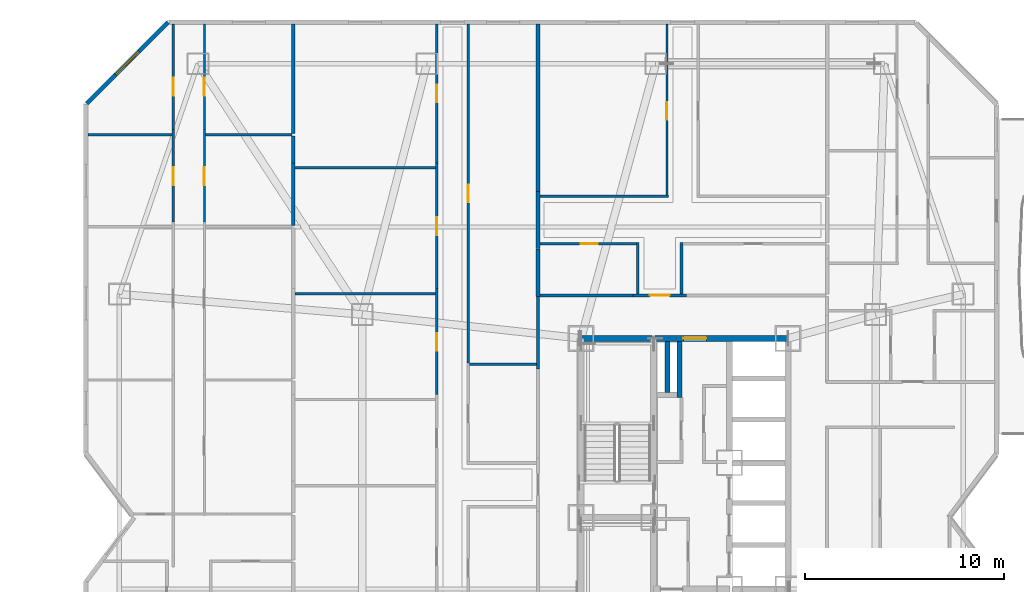
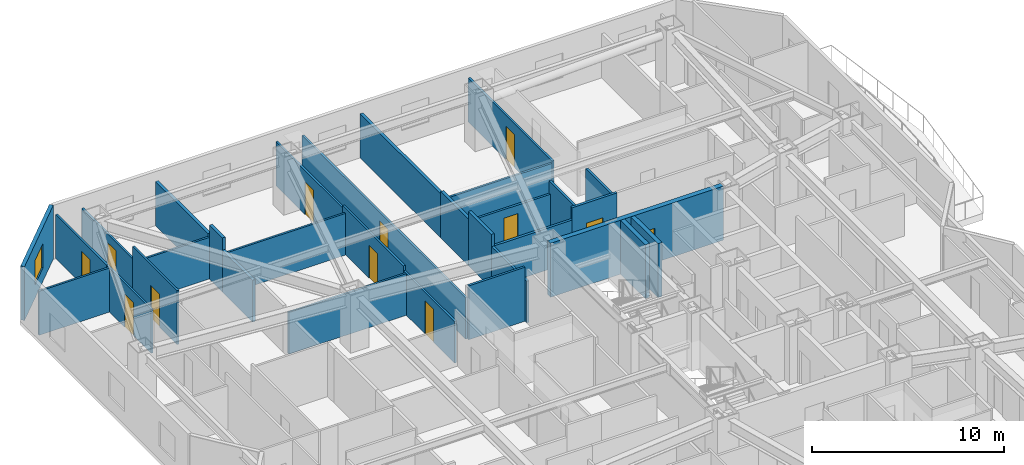
# One storey, part 12 of 17: 31 walls, 12 doors, 1 window, 13 openings.
"""IFC4 building model written with IfcOpenShell, lengths in metres."""

from ifc_helpers import new_model, si_unit, direction, frame, frame_2d, origin, place, context, subcontext, project, spatial, rectangle, extrude, material, layer, layer_set, type_object, element, fill, save


model = new_model("IFC4")

# Units and contexts
model_context = context("Model", 3, precision=1e-05, world=origin(), true_north=direction((0.0, 1.0)))
body_context = subcontext(model_context, "Body", "Model", "MODEL_VIEW")
ifc_project = project(units=[si_unit("LENGTHUNIT", "METRE"), si_unit("AREAUNIT", "SQUARE_METRE"), si_unit("VOLUMEUNIT", "CUBIC_METRE"), si_unit("PLANEANGLEUNIT", "RADIAN"), si_unit("MASSUNIT", "GRAM", prefix="KILO")], contexts=[model_context])

# Site, building, storey
site_placement = place(None, origin())
site = spatial("IfcSite", under=ifc_project, at=site_placement, CompositionType="ELEMENT")
building_placement = place(site_placement, origin())
building = spatial("IfcBuilding", under=site, at=building_placement, Name="Khamvora Tower", CompositionType="ELEMENT")
storey_placement = place(building_placement, frame((0.0, 0.0, 44.25)))
storey = spatial("IfcBuildingStorey", under=building, at=storey_placement, Name="L10", CompositionType="ELEMENT", Elevation=44.25)

# Wall, opening, door
ifc_material_1 = material(Name="Concrete C50/60", Category="concrete")
ifc_layer_1 = layer(ifc_material_1, 0.300048828125)
ifc_layer_set_1 = layer_set([ifc_layer_1], Name="Concrete C50/60")
wall_type_1 = type_object("IfcWallType", Name="WAL-CORE-300", PredefinedType="SHEAR", material=ifc_layer_set_1)
wall_1_placement = place(storey_placement, frame((29.0, 37.0, 0.0), z_axis=(0.0, 0.0, 1.0), x_axis=(1.0, 0.0, 0.0)))
wall_1 = element("IfcWall", 1, at=wall_1_placement, inside=storey, type_object=wall_type_1, Name="L10 central core north wall", PredefinedType="SHEAR", context=body_context, shape_type="SweptSolid", body=[
    extrude(rectangle(XDim=10.39990234375, YDim=0.300048828125, at=frame_2d((5.199951171875, 0.0))), origin(), (0.0, 0.0, 1.0), 3.429931640625),
])
opening_1_placement = place(wall_1_placement, frame((5.139892578125, 0.0, 0.0)))
opening_1 = element("IfcOpeningElement", 2, at=opening_1_placement, cuts=wall_1, Name="Opening D-SC1", PredefinedType="OPENING", context=body_context, shape_type="SweptSolid", body=[
    extrude(rectangle(XDim=1.14990234375, YDim=2.199951171875, at=frame_2d((0.574951171875, 1.10009765625))), frame((0.0, 0.159912109375, 0.0), z_axis=(0.0, -1.0, 0.0), x_axis=(1.0, 0.0, 0.0)), (0.0, 0.0, 1.0), 0.320068359375),
])
ifc_material_2 = material(Name="Powder-Coated Steel and Hardwood Leaf", Category="steel")
door_type_1 = type_object("IfcDoorType", Name="DOR-SCHL-1150", OperationType="NOTDEFINED", PredefinedType="DOOR", material=ifc_material_2)
door_1_placement = place(opening_1_placement, origin())
door_1 = element("IfcDoor", 3, at=door_1_placement, inside=storey, type_object=door_type_1, Name="L10 north core lobby to corridor fire door", OperationType="SINGLE_SWING_LEFT", OverallHeight=2.199951171875, OverallWidth=1.14990234375, PredefinedType="DOOR", context=body_context, shape_type="SweptSolid", body=[
    extrude(rectangle(XDim=1.14990234375, YDim=2.199951171875, at=frame_2d((0.574951171875, 1.10009765625))), frame((0.0, 0.02490234375, 0.0), z_axis=(0.0, -1.0, 0.0), x_axis=(1.0, 0.0, 0.0)), (0.0, 0.0, 1.0), 0.050048828125),
])
fill(opening_1, door_1)

# Wall
ifc_material_3 = material(Name="Fire-Rated Drywall and Steel Stud", Category="steel")
ifc_layer_2 = layer(ifc_material_3, 0.14990234375)
ifc_layer_set_2 = layer_set([ifc_layer_2], Name="Fire-Rated Drywall and Steel Stud")
wall_type_2 = type_object("IfcWallType", Name="WAL-CORR-150", PredefinedType="STANDARD", material=ifc_layer_set_2)
wall_2_placement = place(storey_placement, frame((26.8349609375, 35.45703125, 0.0), z_axis=(0.0, 0.0, 1.0), x_axis=(0.0, 1.0, 0.0)))
element("IfcWall", 4, at=wall_2_placement, inside=storey, type_object=wall_type_2, Name="L10 interior partition wall 019", PredefinedType="STANDARD", context=body_context, shape_type="SweptSolid", body=[
    extrude(rectangle(XDim=3.64306640625, YDim=0.14990234375, at=frame_2d((1.821533203125, 0.0))), origin(), (0.0, 0.0, 1.0), 2.64697265625),
])

# Wall, opening, door
wall_3_placement = place(storey_placement, frame((31.60107421875, 39.1650390625, 0.0), z_axis=(0.0, 0.0, 1.0), x_axis=(1.0, 0.0, 0.0)))
wall_3 = element("IfcWall", 5, at=wall_3_placement, inside=storey, type_object=wall_type_2, Name="L10 interior partition wall 029", PredefinedType="STANDARD", context=body_context, shape_type="SweptSolid", body=[
    extrude(rectangle(XDim=2.697998046875, YDim=0.14990234375, at=frame_2d((1.34912109375, 0.0))), origin(), (0.0, 0.0, 1.0), 3.429931640625),
])
opening_2_placement = place(wall_3_placement, frame((0.84912109375, 0.0, 0.0)))
opening_2 = element("IfcOpeningElement", 6, at=opening_2_placement, cuts=wall_3, Name="Opening D-U1", PredefinedType="OPENING", context=body_context, shape_type="SweptSolid", body=[
    extrude(rectangle(XDim=1.0, YDim=2.14990234375, at=frame_2d((0.5, 1.074951171875))), frame((0.0, 0.0849609375, 0.0), z_axis=(0.0, -1.0, 0.0), x_axis=(1.0, 0.0, 0.0)), (0.0, 0.0, 1.0), 0.169921875),
])
door_type_2 = type_object("IfcDoorType", Name="DOR-UNIT-1000", OperationType="NOTDEFINED", PredefinedType="DOOR", material=ifc_material_2)
door_2_placement = place(opening_2_placement, origin())
door_2 = element("IfcDoor", 7, at=door_2_placement, inside=storey, type_object=door_type_2, Name="L10 interior door COR-10NAH", OperationType="SINGLE_SWING_LEFT", OverallHeight=2.14990234375, OverallWidth=1.0, PredefinedType="DOOR", context=body_context, shape_type="SweptSolid", body=[
    extrude(rectangle(XDim=1.0, YDim=2.14990234375, at=frame_2d((0.5, 1.074951171875))), frame((0.0, 0.02490234375, 0.0), z_axis=(0.0, -1.0, 0.0), x_axis=(1.0, 0.0, 0.0)), (0.0, 0.0, 1.0), 0.050048828125),
])
fill(opening_2, door_2)

# Walls
wall_4_placement = place(storey_placement, frame((26.89990234375, 39.1650390625, 0.0), z_axis=(0.0, 0.0, 1.0), x_axis=(1.0, 0.0, 0.0)))
element("IfcWall", 8, at=wall_4_placement, inside=storey, type_object=wall_type_2, Name="L10 interior partition wall 030", PredefinedType="STANDARD", context=body_context, shape_type="SweptSolid", body=[
    extrude(rectangle(XDim=4.701171875, YDim=0.14990234375, at=frame_2d((2.3505859375, 0.0))), origin(), (0.0, 0.0, 1.0), 2.64697265625),
])
ifc_material_4 = material(Name="Acoustic Double-Stud Fire Wall", Category="gypsum")
ifc_layer_3 = layer(ifc_material_4, 0.179931640625)
ifc_layer_set_3 = layer_set([ifc_layer_3], Name="Acoustic Double-Stud Fire Wall")
wall_type_3 = type_object("IfcWallType", Name="WAL-CORR-180", PredefinedType="STANDARD", material=ifc_layer_set_3)
wall_5_placement = place(storey_placement, frame((14.533935546875, 45.822021484375, 0.0), z_axis=(0.0, 0.0, 1.0), x_axis=(0.0, -1.0, 0.0)))
element("IfcWall", 9, at=wall_5_placement, inside=storey, type_object=wall_type_3, Name="L10 interior partition wall 104", PredefinedType="STANDARD", context=body_context, shape_type="SweptSolid", body=[
    extrude(rectangle(XDim=3.153076171875, YDim=0.179931640625, at=frame_2d((1.57666015625, 0.0))), origin(), (0.0, 0.0, 1.0), 2.64697265625),
])
wall_6_placement = place(storey_placement, frame((14.533935546875, 47.172119140625, 0.0), z_axis=(0.0, 0.0, 1.0), x_axis=(0.0, -1.0, 0.0)))
element("IfcWall", 10, at=wall_6_placement, inside=storey, type_object=wall_type_3, Name="L10 interior partition wall 105", PredefinedType="STANDARD", context=body_context, shape_type="SweptSolid", body=[
    extrude(rectangle(XDim=1.35009765625, YDim=0.179931640625, at=frame_2d((0.675048828125, 0.0))), origin(), (0.0, 0.0, 1.0), 3.429931640625),
])
wall_7_placement = place(storey_placement, frame((14.533935546875, 52.7880859375, 0.0), z_axis=(0.0, 0.0, 1.0), x_axis=(0.0, -1.0, 0.0)))
element("IfcWall", 11, at=wall_7_placement, inside=storey, type_object=wall_type_3, Name="L10 interior partition wall 106", PredefinedType="STANDARD", context=body_context, shape_type="SweptSolid", body=[
    extrude(rectangle(XDim=5.486083984375, YDim=0.179931640625, at=frame_2d((2.7431640625, 0.0))), origin(), (0.0, 0.0, 1.0), 2.802978515625),
])
wall_8_placement = place(storey_placement, frame((26.8349609375, 44.383056640625, 0.0), z_axis=(0.0, 0.0, 1.0), x_axis=(0.0, -1.0, 0.0)))
element("IfcWall", 12, at=wall_8_placement, inside=storey, type_object=wall_type_3, Name="L10 interior partition wall 109", PredefinedType="STANDARD", context=body_context, shape_type="SweptSolid", body=[
    extrude(rectangle(XDim=2.878173828125, YDim=0.179931640625, at=frame_2d((1.43896484375, 0.0))), origin(), (0.0, 0.0, 1.0), 2.95703125),
])
wall_9_placement = place(storey_placement, frame((26.8349609375, 41.5048828125, 0.0), z_axis=(0.0, 0.0, 1.0), x_axis=(0.0, -1.0, 0.0)))
element("IfcWall", 13, at=wall_9_placement, inside=storey, type_object=wall_type_3, Name="L10 interior partition wall 110", PredefinedType="STANDARD", context=body_context, shape_type="SweptSolid", body=[
    extrude(rectangle(XDim=2.40478515625, YDim=0.179931640625, at=frame_2d((1.202392578125, 0.0))), origin(), (0.0, 0.0, 1.0), 3.429931640625),
])
wall_10_placement = place(storey_placement, frame((26.8349609375, 52.7880859375, 0.0), z_axis=(0.0, 0.0, 1.0), x_axis=(0.0, -1.0, 0.0)))
element("IfcWall", 14, at=wall_10_placement, inside=storey, type_object=wall_type_3, Name="L10 interior partition wall 111", PredefinedType="STANDARD", context=body_context, shape_type="SweptSolid", body=[
    extrude(rectangle(XDim=8.405029296875, YDim=0.179931640625, at=frame_2d((4.20263671875, 0.0))), origin(), (0.0, 0.0, 1.0), 2.802978515625),
])

# Wall, opening, window
ifc_material_5 = material(Name="Precast concrete C40/50", Category="concrete")
ifc_layer_4 = layer(ifc_material_5, 0.219970703125)
ifc_layer_set_4 = layer_set([ifc_layer_4], Name="Precast concrete C40/50")
wall_type_4 = type_object("IfcWallType", Name="WAL-EXT-220", PredefinedType="STANDARD", material=ifc_layer_set_4)
wall_11_placement = place(storey_placement, frame((4.157958984375, 48.802001953125, 0.0), z_axis=(0.0, 0.0, 1.0), x_axis=(0.70712789547, 0.707085666273, 0.0)))
wall_11 = element("IfcWall", 15, at=wall_11_placement, inside=storey, type_object=wall_type_4, Name="L10 exterior facade wall 06.1", PredefinedType="STANDARD", context=body_context, shape_type="SweptSolid", body=[
    extrude(rectangle(XDim=5.78125, YDim=0.219970703125, at=frame_2d((2.890625, 0.0))), origin(), (0.0, 0.0, 1.0), 3.429931640625),
])
opening_3_placement = place(wall_11_placement, frame((2.06591796875, 0.0, 0.85009765625)))
opening_3 = element("IfcOpeningElement", 16, at=opening_3_placement, cuts=wall_11, Name="Opening WN-06", PredefinedType="OPENING", context=body_context, shape_type="SweptSolid", body=[
    extrude(rectangle(XDim=1.64990234375, YDim=1.550048828125, at=frame_2d((0.824951171875, 0.77490234375))), frame((0.0, 0.119873046875, 0.0), z_axis=(0.0, -1.0, 0.0), x_axis=(1.0, 0.0, 0.0)), (0.0, 0.0, 1.0), 0.239990234375),
])
ifc_material_6 = material(Name="Low-E Laminated Double Glazing", Category="glass")
window_type = type_object("IfcWindowType", Name="WIN-VIS-1650x1550", PartitioningType="SINGLE_PANEL", PredefinedType="WINDOW", material=ifc_material_6)
window_placement = place(opening_3_placement, origin())
window = element("IfcWindow", 17, at=window_placement, inside=storey, type_object=window_type, Name="L10 vision window 06.1.01", OverallHeight=1.550048828125, OverallWidth=1.64990234375, PartitioningType="SINGLE_PANEL", PredefinedType="WINDOW", context=body_context, shape_type="SweptSolid", body=[
    extrude(rectangle(XDim=1.64990234375, YDim=1.550048828125, at=frame_2d((0.824951171875, 0.77490234375))), frame((0.0, 0.030029296875, 0.0), z_axis=(0.0, -1.0, 0.0), x_axis=(1.0, 0.0, 0.0)), (0.0, 0.0, 1.0), 0.06005859375),
])
fill(opening_3, window)

# Wall, opening, door
ifc_material_7 = material(Name="Gypsum Plasterboard Partition", Category="gypsum")
ifc_layer_5 = layer(ifc_material_7, 0.1201171875)
ifc_layer_set_5 = layer_set([ifc_layer_5], Name="Gypsum Plasterboard Partition")
wall_type_5 = type_object("IfcWallType", Name="WAL-PART-120", PredefinedType="PARTITIONING", material=ifc_layer_set_5)
wall_12_placement = place(storey_placement, frame((8.50390625, 42.85302734375, 0.0), z_axis=(0.0, 0.0, 1.0), x_axis=(0.0, 1.0, 0.0)))
wall_12 = element("IfcWall", 18, at=wall_12_placement, inside=storey, type_object=wall_type_5, Name="L10 interior partition wall 084", PredefinedType="PARTITIONING", context=body_context, shape_type="SweptSolid", body=[
    extrude(rectangle(XDim=4.633056640625, YDim=0.1201171875, at=frame_2d((2.31640625, 0.0))), origin(), (0.0, 0.0, 1.0), 2.802978515625),
])
opening_4_placement = place(wall_12_placement, frame((1.845947265625, 0.0, 0.0)))
opening_4 = element("IfcOpeningElement", 19, at=opening_4_placement, cuts=wall_12, Name="Opening D-RM1", PredefinedType="OPENING", context=body_context, shape_type="SweptSolid", body=[
    extrude(rectangle(XDim=0.89990234375, YDim=2.10009765625, at=frame_2d((0.449951171875, 1.050048828125))), frame((0.0, 0.070068359375, 0.0), z_axis=(0.0, -1.0, 0.0), x_axis=(1.0, 0.0, 0.0)), (0.0, 0.0, 1.0), 0.14013671875),
])
door_type_3 = type_object("IfcDoorType", Name="DOR-ROOM-900", OperationType="NOTDEFINED", PredefinedType="DOOR", material=ifc_material_2)
door_3_placement = place(opening_4_placement, origin())
door_3 = element("IfcDoor", 20, at=door_3_placement, inside=storey, type_object=door_type_3, Name="L10 interior door 10WC1H-10WC1R3", OperationType="SINGLE_SWING_RIGHT", OverallHeight=2.10009765625, OverallWidth=0.89990234375, PredefinedType="DOOR", context=body_context, shape_type="SweptSolid", body=[
    extrude(rectangle(XDim=0.89990234375, YDim=2.10009765625, at=frame_2d((0.449951171875, 1.050048828125))), frame((0.0, 0.02490234375, 0.0), z_axis=(0.0, -1.0, 0.0), x_axis=(1.0, 0.0, 0.0)), (0.0, 0.0, 1.0), 0.050048828125),
])
fill(opening_4, door_3)

wall_13_placement = place(storey_placement, frame((8.50390625, 47.486083984375, 0.0), z_axis=(0.0, 0.0, 1.0), x_axis=(0.0, 1.0, 0.0)))
wall_13 = element("IfcWall", 21, at=wall_13_placement, inside=storey, type_object=wall_type_5, Name="L10 interior partition wall 085", PredefinedType="PARTITIONING", context=body_context, shape_type="SweptSolid", body=[
    extrude(rectangle(XDim=5.302001953125, YDim=0.1201171875, at=frame_2d((2.65087890625, 0.0))), origin(), (0.0, 0.0, 1.0), 2.802978515625),
])
opening_5_placement = place(wall_13_placement, frame((1.708984375, 0.0, 0.0)))
opening_5 = element("IfcOpeningElement", 22, at=opening_5_placement, cuts=wall_13, Name="Opening D-RM1", PredefinedType="OPENING", context=body_context, shape_type="SweptSolid", body=[
    extrude(rectangle(XDim=0.89990234375, YDim=2.10009765625, at=frame_2d((0.449951171875, 1.050048828125))), frame((0.0, 0.070068359375, 0.0), z_axis=(0.0, -1.0, 0.0), x_axis=(1.0, 0.0, 0.0)), (0.0, 0.0, 1.0), 0.14013671875),
])
door_4_placement = place(opening_5_placement, origin())
door_4 = element("IfcDoor", 23, at=door_4_placement, inside=storey, type_object=door_type_3, Name="L10 interior door 10WC1H-10WC1R4", OperationType="SINGLE_SWING_LEFT", OverallHeight=2.10009765625, OverallWidth=0.89990234375, PredefinedType="DOOR", context=body_context, shape_type="SweptSolid", body=[
    extrude(rectangle(XDim=0.89990234375, YDim=2.10009765625, at=frame_2d((0.449951171875, 1.050048828125))), frame((0.0, 0.02490234375, 0.0), z_axis=(0.0, -1.0, 0.0), x_axis=(1.0, 0.0, 0.0)), (0.0, 0.0, 1.0), 0.050048828125),
])
fill(opening_5, door_4)

wall_14_placement = place(storey_placement, frame((10.073974609375, 47.486083984375, 0.0), z_axis=(0.0, 0.0, 1.0), x_axis=(0.0, -1.0, 0.0)))
wall_14 = element("IfcWall", 24, at=wall_14_placement, inside=storey, type_object=wall_type_5, Name="L10 interior partition wall 089", PredefinedType="PARTITIONING", context=body_context, shape_type="SweptSolid", body=[
    extrude(rectangle(XDim=4.633056640625, YDim=0.1201171875, at=frame_2d((2.31640625, 0.0))), origin(), (0.0, 0.0, 1.0), 3.429931640625),
])
opening_6_placement = place(wall_14_placement, frame((1.886962890625, 0.0, 0.0)))
opening_6 = element("IfcOpeningElement", 25, at=opening_6_placement, cuts=wall_14, Name="Opening D-RM1", PredefinedType="OPENING", context=body_context, shape_type="SweptSolid", body=[
    extrude(rectangle(XDim=0.89990234375, YDim=2.10009765625, at=frame_2d((0.449951171875, 1.050048828125))), frame((0.0, 0.070068359375, 0.0), z_axis=(0.0, -1.0, 0.0), x_axis=(1.0, 0.0, 0.0)), (0.0, 0.0, 1.0), 0.14013671875),
])
door_5_placement = place(opening_6_placement, origin())
door_5 = element("IfcDoor", 26, at=door_5_placement, inside=storey, type_object=door_type_3, Name="L10 interior door 10WC1H-10WC1R7", OperationType="SINGLE_SWING_LEFT", OverallHeight=2.10009765625, OverallWidth=0.89990234375, PredefinedType="DOOR", context=body_context, shape_type="SweptSolid", body=[
    extrude(rectangle(XDim=0.89990234375, YDim=2.10009765625, at=frame_2d((0.449951171875, 1.050048828125))), frame((0.0, 0.02490234375, 0.0), z_axis=(0.0, -1.0, 0.0), x_axis=(1.0, 0.0, 0.0)), (0.0, 0.0, 1.0), 0.050048828125),
])
fill(opening_6, door_5)

wall_15_placement = place(storey_placement, frame((10.073974609375, 52.7880859375, 0.0), z_axis=(0.0, 0.0, 1.0), x_axis=(0.0, -1.0, 0.0)))
wall_15 = element("IfcWall", 27, at=wall_15_placement, inside=storey, type_object=wall_type_5, Name="L10 interior partition wall 090", PredefinedType="PARTITIONING", context=body_context, shape_type="SweptSolid", body=[
    extrude(rectangle(XDim=5.302001953125, YDim=0.1201171875, at=frame_2d((2.65087890625, 0.0))), origin(), (0.0, 0.0, 1.0), 2.64697265625),
])
opening_7_placement = place(wall_15_placement, frame((2.693115234375, 0.0, 0.0)))
opening_7 = element("IfcOpeningElement", 28, at=opening_7_placement, cuts=wall_15, Name="Opening D-RM1", PredefinedType="OPENING", context=body_context, shape_type="SweptSolid", body=[
    extrude(rectangle(XDim=0.89990234375, YDim=2.10009765625, at=frame_2d((0.449951171875, 1.050048828125))), frame((0.0, 0.070068359375, 0.0), z_axis=(0.0, -1.0, 0.0), x_axis=(1.0, 0.0, 0.0)), (0.0, 0.0, 1.0), 0.14013671875),
])
door_6_placement = place(opening_7_placement, origin())
door_6 = element("IfcDoor", 29, at=door_6_placement, inside=storey, type_object=door_type_3, Name="L10 interior door 10WC1H-10WC1R8", OperationType="SINGLE_SWING_RIGHT", OverallHeight=2.10009765625, OverallWidth=0.89990234375, PredefinedType="DOOR", context=body_context, shape_type="SweptSolid", body=[
    extrude(rectangle(XDim=0.89990234375, YDim=2.10009765625, at=frame_2d((0.449951171875, 1.050048828125))), frame((0.0, 0.02490234375, 0.0), z_axis=(0.0, -1.0, 0.0), x_axis=(1.0, 0.0, 0.0)), (0.0, 0.0, 1.0), 0.050048828125),
])
fill(opening_7, door_6)

# Walls
wall_16_placement = place(storey_placement, frame((4.2119140625, 47.237060546875, 0.0), z_axis=(0.0, 0.0, 1.0), x_axis=(1.0, 0.0, 0.0)))
element("IfcWall", 30, at=wall_16_placement, inside=storey, type_object=wall_type_5, Name="L10 interior partition wall 095", PredefinedType="PARTITIONING", context=body_context, shape_type="SweptSolid", body=[
    extrude(rectangle(XDim=4.238037109375, YDim=0.1201171875, at=frame_2d((2.119140625, 0.0))), origin(), (0.0, 0.0, 1.0), 2.802978515625),
])
wall_17_placement = place(storey_placement, frame((10.1279296875, 47.237060546875, 0.0), z_axis=(0.0, 0.0, 1.0), x_axis=(1.0, 0.0, 0.0)))
element("IfcWall", 31, at=wall_17_placement, inside=storey, type_object=wall_type_5, Name="L10 interior partition wall 103", PredefinedType="PARTITIONING", context=body_context, shape_type="SweptSolid", body=[
    extrude(rectangle(XDim=4.341064453125, YDim=0.1201171875, at=frame_2d((2.17041015625, 0.0))), origin(), (0.0, 0.0, 1.0), 2.64697265625),
])

# Wall, opening, door
wall_18_placement = place(storey_placement, frame((23.323974609375, 35.77099609375, 0.0), z_axis=(0.0, 0.0, 1.0), x_axis=(0.0, 1.0, 0.0)))
wall_18 = element("IfcWall", 32, at=wall_18_placement, inside=storey, type_object=wall_type_5, Name="L10 interior partition wall 107", PredefinedType="PARTITIONING", context=body_context, shape_type="SweptSolid", body=[
    extrude(rectangle(XDim=17.01708984375, YDim=0.1201171875, at=frame_2d((8.508544921875, 0.0))), origin(), (0.0, 0.0, 1.0), 2.64697265625),
])
opening_8_placement = place(wall_18_placement, frame((8.05908203125, 0.0, 0.0)))
opening_8 = element("IfcOpeningElement", 33, at=opening_8_placement, cuts=wall_18, Name="Opening D-RM1", PredefinedType="OPENING", context=body_context, shape_type="SweptSolid", body=[
    extrude(rectangle(XDim=0.89990234375, YDim=2.10009765625, at=frame_2d((0.449951171875, 1.050048828125))), frame((0.0, 0.070068359375, 0.0), z_axis=(0.0, -1.0, 0.0), x_axis=(1.0, 0.0, 0.0)), (0.0, 0.0, 1.0), 0.14013671875),
])
door_7_placement = place(opening_8_placement, origin())
door_7 = element("IfcDoor", 34, at=door_7_placement, inside=storey, type_object=door_type_3, Name="L10 interior door 10WC2W2-10WC2H", OperationType="SINGLE_SWING_LEFT", OverallHeight=2.10009765625, OverallWidth=0.89990234375, PredefinedType="DOOR", context=body_context, shape_type="SweptSolid", body=[
    extrude(rectangle(XDim=0.89990234375, YDim=2.10009765625, at=frame_2d((0.449951171875, 1.050048828125))), frame((0.0, 0.02490234375, 0.0), z_axis=(0.0, -1.0, 0.0), x_axis=(1.0, 0.0, 0.0)), (0.0, 0.0, 1.0), 0.050048828125),
])
fill(opening_8, door_7)

wall_19_placement = place(storey_placement, frame((21.743896484375, 34.176025390625, 0.0), z_axis=(0.0, 0.0, 1.0), x_axis=(0.0, 1.0, 0.0)))
wall_19 = element("IfcWall", 35, at=wall_19_placement, inside=storey, type_object=wall_type_5, Name="L10 interior partition wall 118", PredefinedType="PARTITIONING", context=body_context, shape_type="SweptSolid", body=[
    extrude(rectangle(XDim=5.324951171875, YDim=0.1201171875, at=frame_2d((2.66259765625, 0.0))), origin(), (0.0, 0.0, 1.0), 2.64697265625),
])
opening_9_placement = place(wall_19_placement, frame((2.19189453125, 0.0, 0.0)))
opening_9 = element("IfcOpeningElement", 36, at=opening_9_placement, cuts=wall_19, Name="Opening D-RM1", PredefinedType="OPENING", context=body_context, shape_type="SweptSolid", body=[
    extrude(rectangle(XDim=0.89990234375, YDim=2.10009765625, at=frame_2d((0.449951171875, 1.050048828125))), frame((0.0, 0.070068359375, 0.0), z_axis=(0.0, -1.0, 0.0), x_axis=(1.0, 0.0, 0.0)), (0.0, 0.0, 1.0), 0.14013671875),
])
door_8_placement = place(opening_9_placement, origin())
door_8 = element("IfcDoor", 37, at=door_8_placement, inside=storey, type_object=door_type_3, Name="L10 interior door 10WC2H-10WC2R3", OperationType="SINGLE_SWING_RIGHT", OverallHeight=2.10009765625, OverallWidth=0.89990234375, PredefinedType="DOOR", context=body_context, shape_type="SweptSolid", body=[
    extrude(rectangle(XDim=0.89990234375, YDim=2.10009765625, at=frame_2d((0.449951171875, 1.050048828125))), frame((0.0, 0.02490234375, 0.0), z_axis=(0.0, -1.0, 0.0), x_axis=(1.0, 0.0, 0.0)), (0.0, 0.0, 1.0), 0.050048828125),
])
fill(opening_9, door_8)

wall_20_placement = place(storey_placement, frame((21.743896484375, 39.5009765625, 0.0), z_axis=(0.0, 0.0, 1.0), x_axis=(0.0, 1.0, 0.0)))
wall_20 = element("IfcWall", 38, at=wall_20_placement, inside=storey, type_object=wall_type_5, Name="L10 interior partition wall 119", PredefinedType="PARTITIONING", context=body_context, shape_type="SweptSolid", body=[
    extrude(rectangle(XDim=6.321044921875, YDim=0.1201171875, at=frame_2d((3.16064453125, 0.0))), origin(), (0.0, 0.0, 1.0), 2.95703125),
])
opening_10_placement = place(wall_20_placement, frame((2.68896484375, 0.0, 0.0)))
opening_10 = element("IfcOpeningElement", 39, at=opening_10_placement, cuts=wall_20, Name="Opening D-RM1", PredefinedType="OPENING", context=body_context, shape_type="SweptSolid", body=[
    extrude(rectangle(XDim=0.89990234375, YDim=2.10009765625, at=frame_2d((0.449951171875, 1.050048828125))), frame((0.0, 0.070068359375, 0.0), z_axis=(0.0, -1.0, 0.0), x_axis=(1.0, 0.0, 0.0)), (0.0, 0.0, 1.0), 0.14013671875),
])
door_9_placement = place(opening_10_placement, origin())
door_9 = element("IfcDoor", 40, at=door_9_placement, inside=storey, type_object=door_type_3, Name="L10 interior door 10WC2H-10WC2R4", OperationType="SINGLE_SWING_LEFT", OverallHeight=2.10009765625, OverallWidth=0.89990234375, PredefinedType="DOOR", context=body_context, shape_type="SweptSolid", body=[
    extrude(rectangle(XDim=0.89990234375, YDim=2.10009765625, at=frame_2d((0.449951171875, 1.050048828125))), frame((0.0, 0.02490234375, 0.0), z_axis=(0.0, -1.0, 0.0), x_axis=(1.0, 0.0, 0.0)), (0.0, 0.0, 1.0), 0.050048828125),
])
fill(opening_10, door_9)

wall_21_placement = place(storey_placement, frame((21.743896484375, 45.822021484375, 0.0), z_axis=(0.0, 0.0, 1.0), x_axis=(0.0, 1.0, 0.0)))
wall_21 = element("IfcWall", 41, at=wall_21_placement, inside=storey, type_object=wall_type_5, Name="L10 interior partition wall 120", PredefinedType="PARTITIONING", context=body_context, shape_type="SweptSolid", body=[
    extrude(rectangle(XDim=6.966064453125, YDim=0.1201171875, at=frame_2d((3.48291015625, 0.0))), origin(), (0.0, 0.0, 1.0), 2.802978515625),
])
opening_11_placement = place(wall_21_placement, frame((3.032958984375, 0.0, 0.0)))
opening_11 = element("IfcOpeningElement", 42, at=opening_11_placement, cuts=wall_21, Name="Opening D-RM1", PredefinedType="OPENING", context=body_context, shape_type="SweptSolid", body=[
    extrude(rectangle(XDim=0.89990234375, YDim=2.10009765625, at=frame_2d((0.449951171875, 1.050048828125))), frame((0.0, 0.070068359375, 0.0), z_axis=(0.0, -1.0, 0.0), x_axis=(1.0, 0.0, 0.0)), (0.0, 0.0, 1.0), 0.14013671875),
])
door_10_placement = place(opening_11_placement, origin())
door_10 = element("IfcDoor", 43, at=door_10_placement, inside=storey, type_object=door_type_3, Name="L10 interior door 10WC2H-10WC2R5", OperationType="SINGLE_SWING_LEFT", OverallHeight=2.10009765625, OverallWidth=0.89990234375, PredefinedType="DOOR", context=body_context, shape_type="SweptSolid", body=[
    extrude(rectangle(XDim=0.89990234375, YDim=2.10009765625, at=frame_2d((0.449951171875, 1.050048828125))), frame((0.0, 0.02490234375, 0.0), z_axis=(0.0, -1.0, 0.0), x_axis=(1.0, 0.0, 0.0)), (0.0, 0.0, 1.0), 0.050048828125),
])
fill(opening_11, door_10)

# Walls
for number, where, z_axis, x_axis, name in (
    (44, (14.615966796875, 39.251953125, 0.0), (0.0, 0.0, 1.0), (1.0, 0.0, 0.0), "L10 interior partition wall 123"),
    (45, (14.615966796875, 45.572998046875, 0.0), (0.0, 0.0, 1.0), (1.0, 0.0, 0.0), "L10 interior partition wall 124"),
):
    element("IfcWall", number, at=place(storey_placement, frame(where, z_axis=z_axis, x_axis=x_axis)), inside=storey, type_object=wall_type_5, Name=name, PredefinedType="PARTITIONING", context=body_context, shape_type="SweptSolid", body=[
        extrude(rectangle(XDim=7.073974609375, YDim=0.1201171875, at=frame_2d((3.537109375, 0.0))), origin(), (0.0, 0.0, 1.0), 2.64697265625),
    ])
wall_22_placement = place(storey_placement, frame((26.9169921875, 44.134033203125, 0.0), z_axis=(0.0, 0.0, 1.0), x_axis=(1.0, 0.0, 0.0)))
element("IfcWall", 46, at=wall_22_placement, inside=storey, type_object=wall_type_5, Name="L10 interior partition wall 138", PredefinedType="PARTITIONING", context=body_context, shape_type="SweptSolid", body=[
    extrude(rectangle(XDim=6.462890625, YDim=0.1201171875, at=frame_2d((3.2314453125, 0.0))), origin(), (0.0, 0.0, 1.0), 2.64697265625),
])

# Wall, opening, door
wall_23_placement = place(storey_placement, frame((33.31494140625, 44.069091796875, 0.0), z_axis=(0.0, 0.0, 1.0), x_axis=(0.0, 1.0, 0.0)))
wall_23 = element("IfcWall", 47, at=wall_23_placement, inside=storey, type_object=wall_type_5, Name="L10 interior partition wall 139", PredefinedType="PARTITIONING", context=body_context, shape_type="SweptSolid", body=[
    extrude(rectangle(XDim=8.718994140625, YDim=0.1201171875, at=frame_2d((4.359375, 0.0))), origin(), (0.0, 0.0, 1.0), 2.802978515625),
])
opening_12_placement = place(wall_23_placement, frame((3.908935546875, 0.0, 0.0)))
opening_12 = element("IfcOpeningElement", 48, at=opening_12_placement, cuts=wall_23, Name="Opening D-RM1", PredefinedType="OPENING", context=body_context, shape_type="SweptSolid", body=[
    extrude(rectangle(XDim=0.89990234375, YDim=2.10009765625, at=frame_2d((0.449951171875, 1.050048828125))), frame((0.0, 0.070068359375, 0.0), z_axis=(0.0, -1.0, 0.0), x_axis=(1.0, 0.0, 0.0)), (0.0, 0.0, 1.0), 0.14013671875),
])
door_11_placement = place(opening_12_placement, origin())
door_11 = element("IfcDoor", 49, at=door_11_placement, inside=storey, type_object=door_type_3, Name="L10 interior door 10NAH-10NAR1", OperationType="SINGLE_SWING_RIGHT", OverallHeight=2.10009765625, OverallWidth=0.89990234375, PredefinedType="DOOR", context=body_context, shape_type="SweptSolid", body=[
    extrude(rectangle(XDim=0.89990234375, YDim=2.10009765625, at=frame_2d((0.449951171875, 1.050048828125))), frame((0.0, 0.02490234375, 0.0), z_axis=(0.0, -1.0, 0.0), x_axis=(1.0, 0.0, 0.0)), (0.0, 0.0, 1.0), 0.050048828125),
])
fill(opening_12, door_11)

# Walls
ifc_material_8 = material(Name="Concrete C40/50", Category="concrete")
ifc_layer_6 = layer(ifc_material_8, 0.25)
ifc_layer_set_6 = layer_set([ifc_layer_6], Name="Concrete C40/50")
wall_type_6 = type_object("IfcWallType", Name="WAL-PODS-250", PredefinedType="SHEAR", material=ifc_layer_set_6)
wall_24_placement = place(storey_placement, frame((33.955078125, 34.02490234375, 0.0), z_axis=(0.0, 0.0, 1.0), x_axis=(0.0, 1.0, 0.0)))
element("IfcWall", 50, at=wall_24_placement, inside=storey, type_object=wall_type_6, Name="L10 vertical MEP riser shaft east enclosure wall", PredefinedType="SHEAR", context=body_context, shape_type="SweptSolid", body=[
    extrude(rectangle(XDim=2.821044921875, YDim=0.25, at=frame_2d((1.41064453125, 0.0))), origin(), (0.0, 0.0, 1.0), 3.429931640625),
])
wall_25_placement = place(storey_placement, frame((33.340087890625, 34.279052734375, 0.0), z_axis=(0.0, 0.0, 1.0), x_axis=(0.0, 1.0, 0.0)))
element("IfcWall", 51, at=wall_25_placement, inside=storey, type_object=wall_type_6, Name="L10 vertical MEP riser shaft divider enclosure wall", PredefinedType="SHEAR", context=body_context, shape_type="SweptSolid", body=[
    extrude(rectangle(XDim=2.56689453125, YDim=0.25, at=frame_2d((1.283447265625, 0.0))), origin(), (0.0, 0.0, 1.0), 3.429931640625),
])
ifc_material_9 = material(Name="Moisture-Resistant Plasterboard Partition", Category="gypsum")
ifc_layer_7 = layer(ifc_material_9, 0.135009765625)
ifc_layer_set_7 = layer_set([ifc_layer_7], Name="Moisture-Resistant Plasterboard Partition")
wall_type_7 = type_object("IfcWallType", Name="WAL-WET-135", PredefinedType="PARTITIONING", material=ifc_layer_set_7)
wall_26_placement = place(storey_placement, frame((26.77001953125, 35.7060546875, 0.0), z_axis=(0.0, 0.0, 1.0), x_axis=(-1.0, 0.0, 0.0)))
element("IfcWall", 52, at=wall_26_placement, inside=storey, type_object=wall_type_7, Name="L10 interior partition wall 108", PredefinedType="PARTITIONING", context=body_context, shape_type="SweptSolid", body=[
    extrude(rectangle(XDim=3.381103515625, YDim=0.135009765625, at=frame_2d((1.6904296875, 0.0))), origin(), (0.0, 0.0, 1.0), 3.429931640625),
])
wall_27_placement = place(storey_placement, frame((31.85009765625, 39.23193359375, 0.0), z_axis=(0.0, 0.0, 1.0), x_axis=(0.0, 1.0, 0.0)))
element("IfcWall", 53, at=wall_27_placement, inside=storey, type_object=wall_type_7, Name="L10 interior partition wall 134", PredefinedType="PARTITIONING", context=body_context, shape_type="SweptSolid", body=[
    extrude(rectangle(XDim=2.587158203125, YDim=0.135009765625, at=frame_2d((1.29345703125, 0.0))), origin(), (0.0, 0.0, 1.0), 3.429931640625),
])

# Wall, opening, door
wall_28_placement = place(storey_placement, frame((31.9150390625, 41.75390625, 0.0), z_axis=(0.0, 0.0, 1.0), x_axis=(-1.0, 0.0, 0.0)))
wall_28 = element("IfcWall", 54, at=wall_28_placement, inside=storey, type_object=wall_type_7, Name="L10 interior partition wall 135", PredefinedType="PARTITIONING", context=body_context, shape_type="SweptSolid", body=[
    extrude(rectangle(XDim=4.998046875, YDim=0.135009765625, at=frame_2d((2.4990234375, 0.0))), origin(), (0.0, 0.0, 1.0), 2.64697265625),
])
opening_13_placement = place(wall_28_placement, frame((2.073974609375, 0.0, 0.0)))
opening_13 = element("IfcOpeningElement", 55, at=opening_13_placement, cuts=wall_28, Name="Opening D-WC1", PredefinedType="OPENING", context=body_context, shape_type="SweptSolid", body=[
    extrude(rectangle(XDim=0.85009765625, YDim=2.10009765625, at=frame_2d((0.425048828125, 1.050048828125))), frame((0.0, 0.077392578125, 0.0), z_axis=(0.0, -1.0, 0.0), x_axis=(1.0, 0.0, 0.0)), (0.0, 0.0, 1.0), 0.155029296875),
])
door_type_4 = type_object("IfcDoorType", Name="DOR-WET-850", OperationType="NOTDEFINED", PredefinedType="DOOR", material=ifc_material_2)
door_12_placement = place(opening_13_placement, origin())
door_12 = element("IfcDoor", 56, at=door_12_placement, inside=storey, type_object=door_type_4, Name="L10 interior door 10NAH-10NAB", OperationType="SINGLE_SWING_RIGHT", OverallHeight=2.10009765625, OverallWidth=0.85009765625, PredefinedType="DOOR", context=body_context, shape_type="SweptSolid", body=[
    extrude(rectangle(XDim=0.85009765625, YDim=2.10009765625, at=frame_2d((0.425048828125, 1.050048828125))), frame((0.0, 0.02490234375, 0.0), z_axis=(0.0, -1.0, 0.0), x_axis=(1.0, 0.0, 0.0)), (0.0, 0.0, 1.0), 0.050048828125),
])
fill(opening_13, door_12)

# Wall
wall_29_placement = place(storey_placement, frame((34.050048828125, 41.819091796875, 0.0), z_axis=(0.0, 0.0, 1.0), x_axis=(0.0, -1.0, 0.0)))
element("IfcWall", 57, at=wall_29_placement, inside=storey, type_object=wall_type_7, Name="L10 interior partition wall 137", PredefinedType="PARTITIONING", context=body_context, shape_type="SweptSolid", body=[
    extrude(rectangle(XDim=2.587158203125, YDim=0.135009765625, at=frame_2d((1.29345703125, 0.0))), origin(), (0.0, 0.0, 1.0), 3.429931640625),
])

save(model, "model.ifc")
